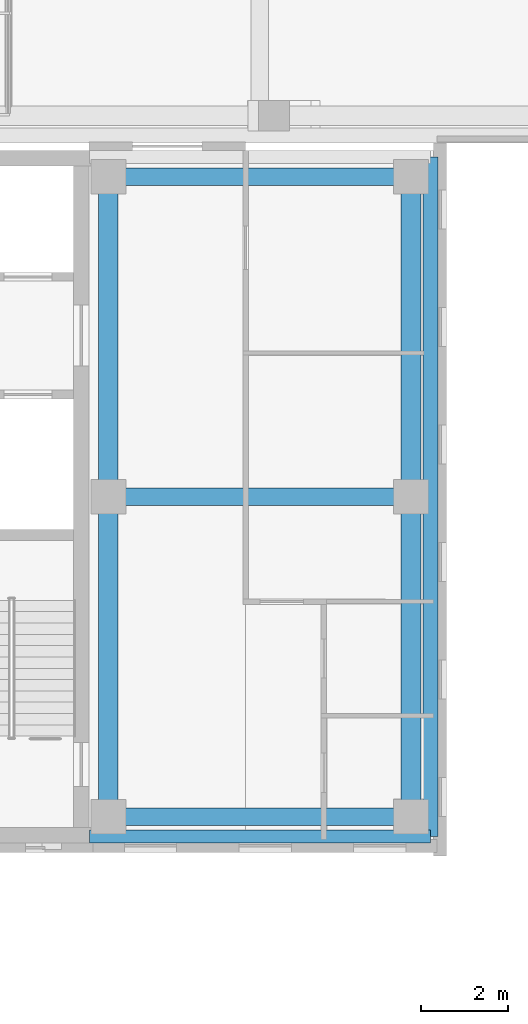
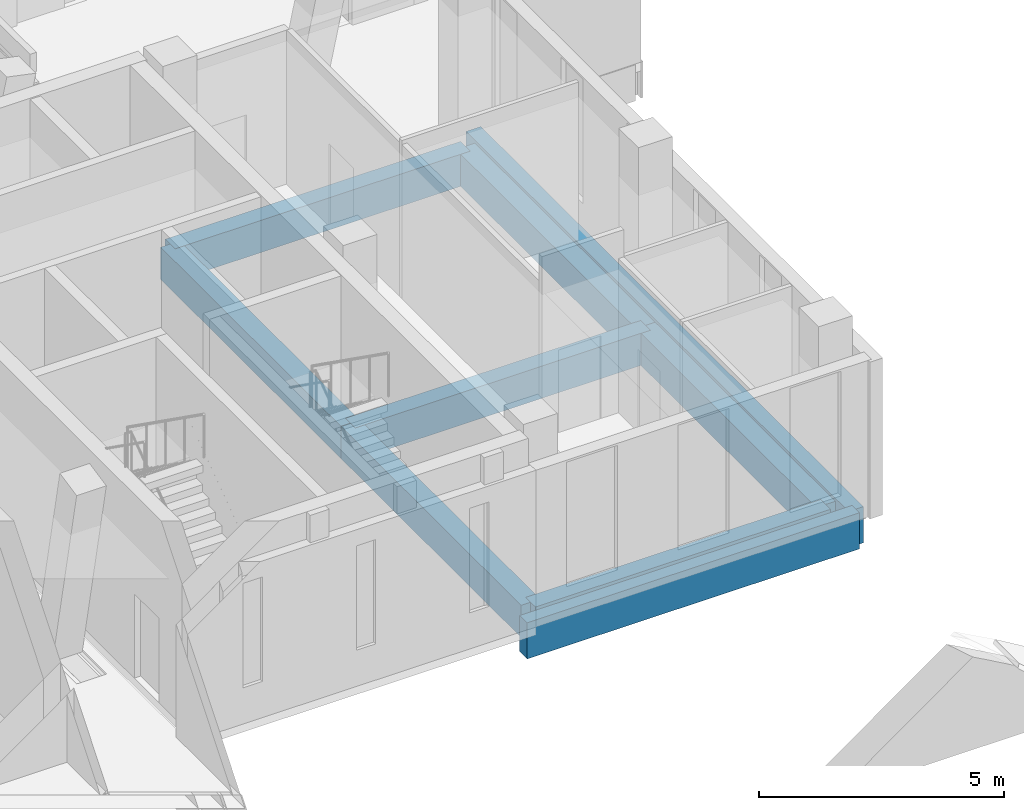
# One storey, part 15 of 74: 9 beams.
"""IFC4 building model written with IfcOpenShell, lengths in metres."""

import ifcopenshell
import ifcopenshell.guid

model = None  # the IFC model being written
_history = None  # IfcOwnerHistory: only IFC2X3 demands one
_inside = {}  # id of a spatial element -> (the spatial element, [elements in it])
_under = {}  # id of a project, library or spatial element -> (it, [spatial elements below it])
_declared = {}  # id of a project -> (the project, [libraries it declares])
_typed = {}  # id of a type object -> (the type object, [elements of that type])
_made_of = {}  # id of a material, layer set ... -> (it, [elements and type objects made of it])


def new_model(schema):
    """Start an empty IFC model of exactly this schema.

    Asked for "IFC4X3", IfcOpenShell would pick the latest addendum, in which some entities
    have other attributes; the version numbers below select the first issue.
    IFC2X3 requires an IfcOwnerHistory on every rooted entity: one is made here for all.
    """
    global model, _history
    if schema == "IFC4X3":
        model = ifcopenshell.file(schema_version=(4, 3, 0, 0))
    else:
        model = ifcopenshell.file(schema=schema)
    _inside.clear()
    _under.clear()
    _declared.clear()
    _typed.clear()
    _made_of.clear()
    _history = None
    if model.schema == "IFC2X3":
        org = make("IfcOrganization", Name="unknown")
        user = make(
            "IfcPersonAndOrganization",
            ThePerson=make("IfcPerson", FamilyName="unknown"),
            TheOrganization=org,
        )
        app = make(
            "IfcApplication",
            ApplicationDeveloper=org,
            Version="unknown",
            ApplicationFullName="unknown",
            ApplicationIdentifier="unknown",
        )
        _history = make(
            "IfcOwnerHistory",
            OwningUser=user,
            OwningApplication=app,
            ChangeAction="ADDED",
            CreationDate=0,
        )
    return model


def make(cls, **values):
    """One entity of the class cls with the attributes given. An attribute that is None is left unset."""
    return model.create_entity(
        cls, **{name: value for name, value in values.items() if value is not None}
    )


def rooted(cls, **values):
    """An entity with a GlobalId (a new one), such as an element, a storey or a relation."""
    return make(cls, GlobalId=ifcopenshell.guid.new(), OwnerHistory=_history, **values)


def si_unit(unit_type, name, prefix=None):
    """IfcSIUnit, for example si_unit("LENGTHUNIT", "METRE", prefix="MILLI")."""
    return make("IfcSIUnit", UnitType=unit_type, Prefix=prefix, Name=name)


def assignment(units):
    """IfcUnitAssignment: the units of a project."""
    return None if units is None else make("IfcUnitAssignment", Units=units)


def point(xyz):
    """IfcCartesianPoint."""
    return None if xyz is None else make("IfcCartesianPoint", Coordinates=xyz)


def direction(xyz):
    """IfcDirection."""
    return None if xyz is None else make("IfcDirection", DirectionRatios=xyz)


def frame(location, z_axis=None, x_axis=None):
    """IfcAxis2Placement3D, a coordinate frame: its origin and axes. An axis left out is left unset."""
    return make(
        "IfcAxis2Placement3D",
        Location=point(location),
        Axis=direction(z_axis),
        RefDirection=direction(x_axis),
    )


def frame_2d(location, x_axis=None):
    """IfcAxis2Placement2D, a coordinate frame in the plane: its origin and x axis."""
    return make(
        "IfcAxis2Placement2D", Location=point(location), RefDirection=direction(x_axis)
    )


def origin():
    """The frame at (0, 0, 0) with its axes left unset."""
    return frame((0.0, 0.0, 0.0))


def origin_2d():
    """The frame at (0, 0) in the plane with its x axis left unset."""
    return frame_2d((0.0, 0.0))


def place(relative_to, where):
    """IfcLocalPlacement: puts the frame where relative to a parent placement (None: the world)."""
    return make(
        "IfcLocalPlacement", PlacementRelTo=relative_to, RelativePlacement=where
    )


def context(
    kind, dimensions, precision=None, world=None, true_north=None, identifier=None
):
    """IfcGeometricRepresentationContext, for example the 3D "Model" context."""
    return make(
        "IfcGeometricRepresentationContext",
        ContextIdentifier=identifier,
        ContextType=kind,
        CoordinateSpaceDimension=dimensions,
        Precision=precision,
        WorldCoordinateSystem=world,
        TrueNorth=true_north,
    )


def subcontext(parent, identifier, kind, view, scale=None):
    """IfcGeometricRepresentationSubContext, for example "Body" below "Model"."""
    return make(
        "IfcGeometricRepresentationSubContext",
        ContextIdentifier=identifier,
        ContextType=kind,
        ParentContext=parent,
        TargetScale=scale,
        TargetView=view,
    )


def project(units=None, contexts=None):
    """IfcProject with its units and contexts."""
    return rooted(
        "IfcProject",
        Name="project",
        RepresentationContexts=contexts,
        UnitsInContext=assignment(units),
    )


def spatial(cls, under=None, at=None, **own):
    """A site, building, storey or space (cls), placed at a placement, below another one or the project."""
    s = rooted(cls, ObjectPlacement=at, **own)
    if under is not None:
        _under.setdefault(under.id(), (under, []))[1].append(s)
    return s


def profile(cls, at=None, kind="AREA", **sizes):
    """A parametric profile (cls). Its sizes go by their IFC names, for example OverallWidth=200.0."""
    return make(cls, ProfileType=kind, Position=at, **sizes)


def rectangle(**sizes):
    """IfcRectangleProfileDef."""
    return profile("IfcRectangleProfileDef", **sizes)


def extrude(swept, where, along, depth):
    """IfcExtrudedAreaSolid: the profile swept, set in the frame where, extruded along a direction by depth."""
    return make(
        "IfcExtrudedAreaSolid",
        SweptArea=swept,
        Position=where,
        ExtrudedDirection=direction(along),
        Depth=depth,
    )


def shape(context_of_items, identifier, shape_type, items):
    """IfcShapeRepresentation: the items that make up one representation, for example the "Body"."""
    return make(
        "IfcShapeRepresentation",
        ContextOfItems=context_of_items,
        RepresentationIdentifier=identifier,
        RepresentationType=shape_type,
        Items=items,
    )


def material(Name=None, Category=None):
    """IfcMaterial."""
    return make("IfcMaterial", Name=Name, Category=Category)


def material_profile(
    of_material, cross_section, Name=None, Category=None, Priority=None
):
    """IfcMaterialProfile: a cross section and its material."""
    return make(
        "IfcMaterialProfile",
        Name=Name,
        Material=of_material,
        Profile=cross_section,
        Priority=Priority,
        Category=Category,
    )


def profile_set(profiles, Name=None, composite=None):
    """IfcMaterialProfileSet."""
    return make(
        "IfcMaterialProfileSet",
        Name=Name,
        MaterialProfiles=profiles,
        CompositeProfile=composite,
    )


def made_of(thing, what):
    """Note that an element or type object is made of a material, layer set ...; save() writes the relation."""
    if what is not None:
        _made_of.setdefault(what.id(), (what, []))[1].append(thing)
    return thing


def type_object(cls, material=None, **own):
    """A type object (cls), such as IfcWallType, which elements share."""
    return made_of(rooted(cls, **own), material)


def element(
    cls,
    number,
    at=None,
    inside=None,
    cuts=None,
    type_object=None,
    material=None,
    context=None,
    identifier="Body",
    shape_type=None,
    held_by="IfcProductDefinitionShape",
    body=None,
    shapes=None,
    **own,
):
    """One element of the class cls, such as IfcWall. Its Tag is "e" and its number.

    at: its placement. inside: the storey or other place that contains it. cuts: it is an
    opening in that element (IfcRelVoidsElement). A single representation is given by context,
    identifier, shape_type and body (its items); several are given by shapes. held_by: the class
    of the entity that holds the representations. save() writes the other relations.
    """
    e = rooted(cls, Tag="e%d" % number, ObjectPlacement=at, **own)
    if body is not None:
        shapes = [shape(context, identifier, shape_type, body)]
    if shapes is not None:
        e.Representation = make(held_by, Representations=shapes)
    if inside is not None:
        _inside.setdefault(inside.id(), (inside, []))[1].append(e)
    if cuts is not None:
        rooted(
            "IfcRelVoidsElement", RelatingBuildingElement=cuts, RelatedOpeningElement=e
        )
    if type_object is not None:
        _typed.setdefault(type_object.id(), (type_object, []))[1].append(e)
    return made_of(e, material)


def aggregate(whole, parts):
    """IfcRelAggregates: a whole, such as a stair, and the parts it consists of."""
    return rooted("IfcRelAggregates", RelatingObject=whole, RelatedObjects=parts)


def save(model, path):
    """Write the relations noted so far, then the file.

    IfcRelAggregates (storeys below a building ...), IfcRelContainedInSpatialStructure (elements
    in a storey), IfcRelDefinesByType, IfcRelAssociatesMaterial and IfcRelDeclares: one each for
    every whole, place, type object, material and project.
    """
    for whole, parts in _under.values():
        aggregate(whole, parts)
    for where, things in _inside.values():
        rooted(
            "IfcRelContainedInSpatialStructure",
            RelatedElements=things,
            RelatingStructure=where,
        )
    for kind, things in _typed.values():
        rooted("IfcRelDefinesByType", RelatedObjects=things, RelatingType=kind)
    for what, things in _made_of.values():
        rooted("IfcRelAssociatesMaterial", RelatedObjects=things, RelatingMaterial=what)
    for by, libraries in _declared.values():
        rooted("IfcRelDeclares", RelatingContext=by, RelatedDefinitions=libraries)
    model.write(path)


model = new_model("IFC4")

# Units and contexts
model_context = context("Model", 3, precision=1e-05, world=origin(), true_north=direction((0.0, 1.0)))
body_context = subcontext(model_context, "Body", "Model", "MODEL_VIEW")
ifc_project = project(units=[si_unit("LENGTHUNIT", "METRE"), si_unit("AREAUNIT", "SQUARE_METRE"), si_unit("VOLUMEUNIT", "CUBIC_METRE"), si_unit("PLANEANGLEUNIT", "RADIAN"), si_unit("MASSUNIT", "GRAM", prefix="KILO")], contexts=[model_context])

# Site, building, storey
site_placement = place(None, origin())
site = spatial("IfcSite", under=ifc_project, at=site_placement, CompositionType="ELEMENT")
building_placement = place(site_placement, origin())
building = spatial("IfcBuilding", under=site, at=building_placement, Name="Lantern Court Media Centre", CompositionType="ELEMENT")
storey_placement = place(building_placement, frame((0.0, 0.0, 19.199951171875)))
storey = spatial("IfcBuildingStorey", under=building, at=storey_placement, Name="L04", CompositionType="ELEMENT", Elevation=19.199951171875)

# Beams
ifc_material = material(Name="Concrete C35", Category="concrete")
ifc_material_profile_1 = material_profile(ifc_material, rectangle(XDim=0.300048828125, YDim=0.89990234375, at=origin_2d()), Name="RC 300x900")
ifc_profile_set_1 = profile_set([ifc_material_profile_1], Name="Concrete C35")
beam_type_1 = type_object("IfcBeamType", Name="RC BEAM 300x900", PredefinedType="BEAM", material=ifc_profile_set_1)
beam_1_placement = place(storey_placement, frame((88.02001953125, 48.14990234375, -0.449951171875), z_axis=(1.0, 0.0, 0.0), x_axis=(0.0, 1.0, 0.0)))
element("IfcBeam", 1, at=beam_1_placement, inside=storey, type_object=beam_type_1, Name="EB-SE-L04-S", PredefinedType="BEAM", context=body_context, shape_type="SweptSolid", body=[
    extrude(rectangle(XDim=0.300048828125, YDim=0.89990234375, at=origin_2d()), origin(), (0.0, 0.0, 1.0), 7.830078125),
])
ifc_material_profile_2 = material_profile(ifc_material, rectangle(XDim=0.35009765625, YDim=0.89990234375, at=origin_2d()), Name="RC 350x900")
ifc_profile_set_2 = profile_set([ifc_material_profile_2], Name="Concrete C35")
beam_type_2 = type_object("IfcBeamType", Name="RC BEAM 350x900", PredefinedType="BEAM", material=ifc_profile_set_2)
beam_2_placement = place(storey_placement, frame((95.85009765625, 48.14990234375, -0.449951171875), z_axis=(0.0, 1.0, 0.0), x_axis=(-1.0, 0.0, 0.0)))
element("IfcBeam", 2, at=beam_2_placement, inside=storey, type_object=beam_type_2, Name="EB-SE-L04-E", PredefinedType="BEAM", context=body_context, shape_type="SweptSolid", body=[
    extrude(rectangle(XDim=0.35009765625, YDim=0.89990234375, at=origin_2d()), origin(), (0.0, 0.0, 1.0), 15.60009765625),
])
ifc_material_profile_3 = material_profile(ifc_material, rectangle(XDim=0.39990234375, YDim=0.800048828125, at=origin_2d()), Name="RC 400x800")
ifc_profile_set_3 = profile_set([ifc_material_profile_3], Name="Concrete C35")
beam_type_3 = type_object("IfcBeamType", Name="RC BEAM 400x800", PredefinedType="BEAM", material=ifc_profile_set_3)
for number, where, z_axis, x_axis, name in (
    (3, (88.449951171875, 48.60009765625, -0.39990234375), (1.0, 0.0, 0.0), (0.0, 1.0, 0.0), "BB-SE-L04-Y0-48"),
    (4, (88.449951171875, 55.949951171875, -0.39990234375), (1.0, 0.0, 0.0), (0.0, 1.0, 0.0), "BB-SE-L04-Y0-55"),
    (5, (88.449951171875, 63.300048828125, -0.39990234375), (1.0, 0.0, 0.0), (0.0, 1.0, 0.0), "BB-SE-L04-Y0-63"),
):
    element("IfcBeam", number, at=place(storey_placement, frame(where, z_axis=z_axis, x_axis=x_axis)), inside=storey, type_object=beam_type_3, Name=name, PredefinedType="BEAM", context=body_context, shape_type="SweptSolid", body=[
        extrude(rectangle(XDim=0.39990234375, YDim=0.800048828125, at=origin_2d()), origin(), (0.0, 0.0, 1.0), 6.949951171875),
    ])
ifc_material_profile_4 = material_profile(ifc_material, rectangle(XDim=0.449951171875, YDim=0.800048828125, at=origin_2d()), Name="RC 450x800")
ifc_profile_set_4 = profile_set([ifc_material_profile_4], Name="Concrete C35")
beam_type_4 = type_object("IfcBeamType", Name="RC BEAM 450x800", PredefinedType="BEAM", material=ifc_profile_set_4)
beam_3_placement = place(storey_placement, frame((88.449951171875, 48.60009765625, -0.39990234375), z_axis=(0.0, 1.0, 0.0), x_axis=(-1.0, 0.0, 0.0)))
element("IfcBeam", 6, at=beam_3_placement, inside=storey, type_object=beam_type_4, Name="BB-SE-L04-X0-88", PredefinedType="BEAM", context=body_context, shape_type="SweptSolid", body=[
    extrude(rectangle(XDim=0.449951171875, YDim=0.800048828125, at=origin_2d()), origin(), (0.0, 0.0, 1.0), 7.349853515625),
])
beam_4_placement = place(storey_placement, frame((88.449951171875, 55.949951171875, -0.39990234375), z_axis=(0.0, 1.0, 0.0), x_axis=(-1.0, 0.0, 0.0)))
element("IfcBeam", 7, at=beam_4_placement, inside=storey, type_object=beam_type_4, Name="BB-SE-L04-X1-88", PredefinedType="BEAM", context=body_context, shape_type="SweptSolid", body=[
    extrude(rectangle(XDim=0.449951171875, YDim=0.800048828125, at=origin_2d()), origin(), (0.0, 0.0, 1.0), 7.35009765625),
])
beam_5_placement = place(storey_placement, frame((95.39990234375, 48.60009765625, -0.39990234375), z_axis=(0.0, 1.0, 0.0), x_axis=(-1.0, 0.0, 0.0)))
element("IfcBeam", 8, at=beam_5_placement, inside=storey, type_object=beam_type_4, Name="BB-SE-L04-X0-95", PredefinedType="BEAM", context=body_context, shape_type="SweptSolid", body=[
    extrude(rectangle(XDim=0.449951171875, YDim=0.800048828125, at=origin_2d()), origin(), (0.0, 0.0, 1.0), 7.349853515625),
])
beam_6_placement = place(storey_placement, frame((95.39990234375, 55.949951171875, -0.39990234375), z_axis=(0.0, 1.0, 0.0), x_axis=(-1.0, 0.0, 0.0)))
element("IfcBeam", 9, at=beam_6_placement, inside=storey, type_object=beam_type_4, Name="BB-SE-L04-X1-95", PredefinedType="BEAM", context=body_context, shape_type="SweptSolid", body=[
    extrude(rectangle(XDim=0.449951171875, YDim=0.800048828125, at=origin_2d()), origin(), (0.0, 0.0, 1.0), 7.35009765625),
])

save(model, "model.ifc")
